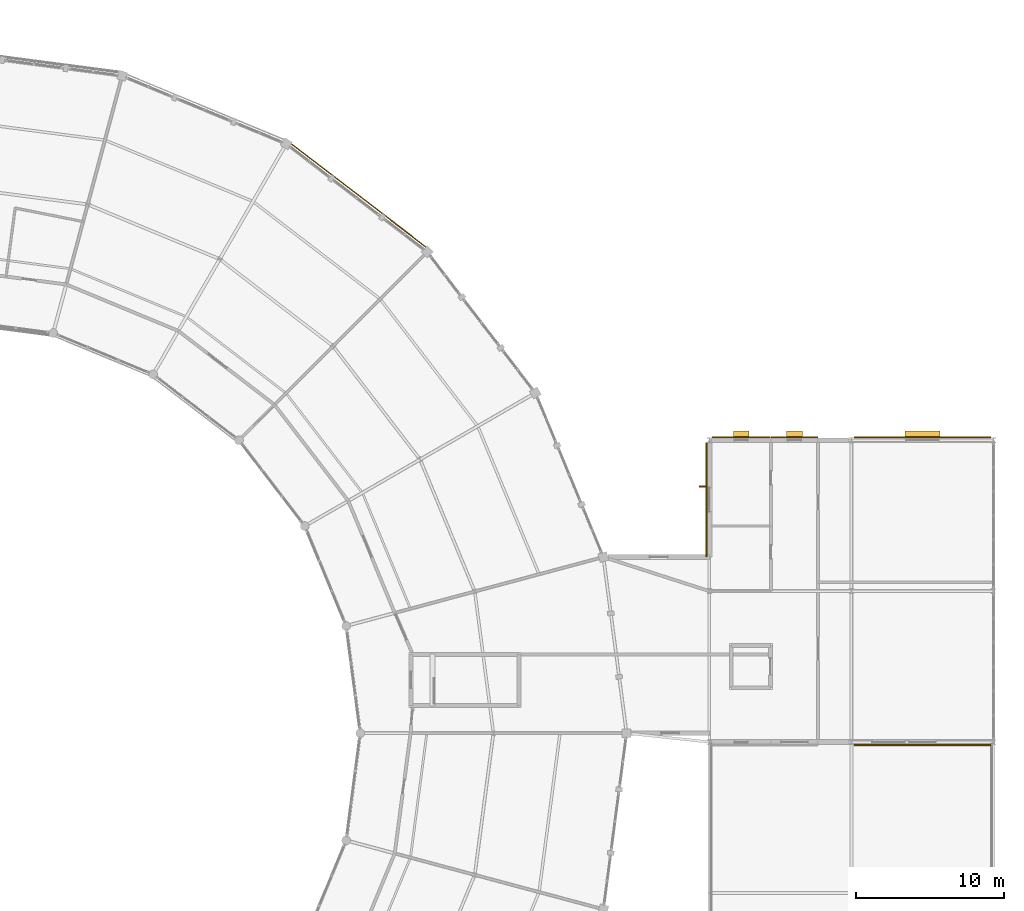
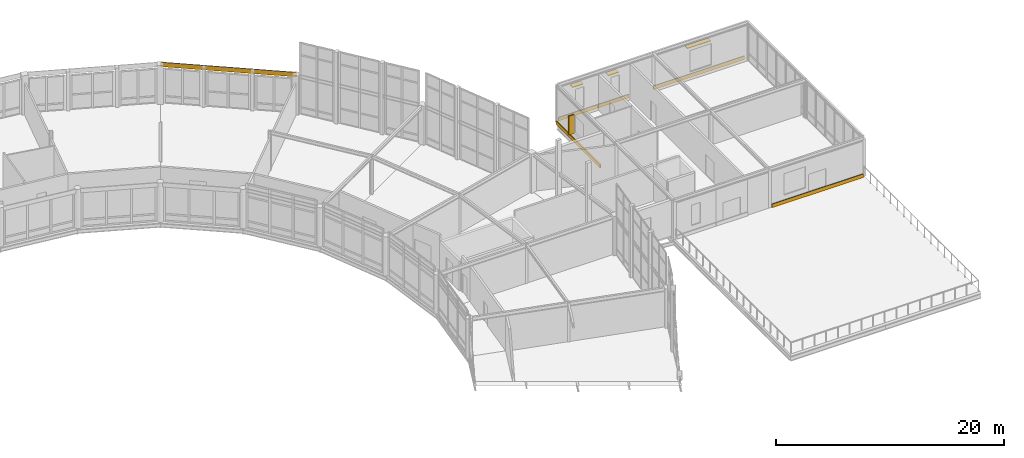
# One storey, part 185 of 185: 6 coverings, 4 shading devices.
"""IFC4 building model written with IfcOpenShell, lengths in metres."""

import ifcopenshell
import ifcopenshell.guid

model = None  # the IFC model being written
_history = None  # IfcOwnerHistory: only IFC2X3 demands one
_inside = {}  # id of a spatial element -> (the spatial element, [elements in it])
_under = {}  # id of a project, library or spatial element -> (it, [spatial elements below it])
_declared = {}  # id of a project -> (the project, [libraries it declares])
_typed = {}  # id of a type object -> (the type object, [elements of that type])
_made_of = {}  # id of a material, layer set ... -> (it, [elements and type objects made of it])


def new_model(schema):
    """Start an empty IFC model of exactly this schema.

    Asked for "IFC4X3", IfcOpenShell would pick the latest addendum, in which some entities
    have other attributes; the version numbers below select the first issue.
    IFC2X3 requires an IfcOwnerHistory on every rooted entity: one is made here for all.
    """
    global model, _history
    if schema == "IFC4X3":
        model = ifcopenshell.file(schema_version=(4, 3, 0, 0))
    else:
        model = ifcopenshell.file(schema=schema)
    _inside.clear()
    _under.clear()
    _declared.clear()
    _typed.clear()
    _made_of.clear()
    _history = None
    if model.schema == "IFC2X3":
        org = make("IfcOrganization", Name="unknown")
        user = make(
            "IfcPersonAndOrganization",
            ThePerson=make("IfcPerson", FamilyName="unknown"),
            TheOrganization=org,
        )
        app = make(
            "IfcApplication",
            ApplicationDeveloper=org,
            Version="unknown",
            ApplicationFullName="unknown",
            ApplicationIdentifier="unknown",
        )
        _history = make(
            "IfcOwnerHistory",
            OwningUser=user,
            OwningApplication=app,
            ChangeAction="ADDED",
            CreationDate=0,
        )
    return model


def make(cls, **values):
    """One entity of the class cls with the attributes given. An attribute that is None is left unset."""
    return model.create_entity(
        cls, **{name: value for name, value in values.items() if value is not None}
    )


def rooted(cls, **values):
    """An entity with a GlobalId (a new one), such as an element, a storey or a relation."""
    return make(cls, GlobalId=ifcopenshell.guid.new(), OwnerHistory=_history, **values)


def si_unit(unit_type, name, prefix=None):
    """IfcSIUnit, for example si_unit("LENGTHUNIT", "METRE", prefix="MILLI")."""
    return make("IfcSIUnit", UnitType=unit_type, Prefix=prefix, Name=name)


def assignment(units):
    """IfcUnitAssignment: the units of a project."""
    return None if units is None else make("IfcUnitAssignment", Units=units)


def point(xyz):
    """IfcCartesianPoint."""
    return None if xyz is None else make("IfcCartesianPoint", Coordinates=xyz)


def direction(xyz):
    """IfcDirection."""
    return None if xyz is None else make("IfcDirection", DirectionRatios=xyz)


def frame(location, z_axis=None, x_axis=None):
    """IfcAxis2Placement3D, a coordinate frame: its origin and axes. An axis left out is left unset."""
    return make(
        "IfcAxis2Placement3D",
        Location=point(location),
        Axis=direction(z_axis),
        RefDirection=direction(x_axis),
    )


def frame_2d(location, x_axis=None):
    """IfcAxis2Placement2D, a coordinate frame in the plane: its origin and x axis."""
    return make(
        "IfcAxis2Placement2D", Location=point(location), RefDirection=direction(x_axis)
    )


def origin():
    """The frame at (0, 0, 0) with its axes left unset."""
    return frame((0.0, 0.0, 0.0))


def origin_2d():
    """The frame at (0, 0) in the plane with its x axis left unset."""
    return frame_2d((0.0, 0.0))


def place(relative_to, where):
    """IfcLocalPlacement: puts the frame where relative to a parent placement (None: the world)."""
    return make(
        "IfcLocalPlacement", PlacementRelTo=relative_to, RelativePlacement=where
    )


def context(
    kind, dimensions, precision=None, world=None, true_north=None, identifier=None
):
    """IfcGeometricRepresentationContext, for example the 3D "Model" context."""
    return make(
        "IfcGeometricRepresentationContext",
        ContextIdentifier=identifier,
        ContextType=kind,
        CoordinateSpaceDimension=dimensions,
        Precision=precision,
        WorldCoordinateSystem=world,
        TrueNorth=true_north,
    )


def subcontext(parent, identifier, kind, view, scale=None):
    """IfcGeometricRepresentationSubContext, for example "Body" below "Model"."""
    return make(
        "IfcGeometricRepresentationSubContext",
        ContextIdentifier=identifier,
        ContextType=kind,
        ParentContext=parent,
        TargetScale=scale,
        TargetView=view,
    )


def project(units=None, contexts=None):
    """IfcProject with its units and contexts."""
    return rooted(
        "IfcProject",
        Name="project",
        RepresentationContexts=contexts,
        UnitsInContext=assignment(units),
    )


def spatial(cls, under=None, at=None, **own):
    """A site, building, storey or space (cls), placed at a placement, below another one or the project."""
    s = rooted(cls, ObjectPlacement=at, **own)
    if under is not None:
        _under.setdefault(under.id(), (under, []))[1].append(s)
    return s


def profile(cls, at=None, kind="AREA", **sizes):
    """A parametric profile (cls). Its sizes go by their IFC names, for example OverallWidth=200.0."""
    return make(cls, ProfileType=kind, Position=at, **sizes)


def rectangle(**sizes):
    """IfcRectangleProfileDef."""
    return profile("IfcRectangleProfileDef", **sizes)


def extrude(swept, where, along, depth):
    """IfcExtrudedAreaSolid: the profile swept, set in the frame where, extruded along a direction by depth."""
    return make(
        "IfcExtrudedAreaSolid",
        SweptArea=swept,
        Position=where,
        ExtrudedDirection=direction(along),
        Depth=depth,
    )


def shape(context_of_items, identifier, shape_type, items):
    """IfcShapeRepresentation: the items that make up one representation, for example the "Body"."""
    return make(
        "IfcShapeRepresentation",
        ContextOfItems=context_of_items,
        RepresentationIdentifier=identifier,
        RepresentationType=shape_type,
        Items=items,
    )


def material(Name=None, Category=None):
    """IfcMaterial."""
    return make("IfcMaterial", Name=Name, Category=Category)


def layer(
    of_material, thickness, ventilated=None, Name=None, Category=None, Priority=None
):
    """IfcMaterialLayer: one layer of a wall or slab, of a material (None: an air gap)."""
    return make(
        "IfcMaterialLayer",
        Material=of_material,
        LayerThickness=thickness,
        IsVentilated=ventilated,
        Name=Name,
        Category=Category,
        Priority=Priority,
    )


def layer_set(layers, Name=None):
    """IfcMaterialLayerSet."""
    return make("IfcMaterialLayerSet", MaterialLayers=layers, LayerSetName=Name)


def made_of(thing, what):
    """Note that an element or type object is made of a material, layer set ...; save() writes the relation."""
    if what is not None:
        _made_of.setdefault(what.id(), (what, []))[1].append(thing)
    return thing


def type_object(cls, material=None, **own):
    """A type object (cls), such as IfcWallType, which elements share."""
    return made_of(rooted(cls, **own), material)


def element(
    cls,
    number,
    at=None,
    inside=None,
    cuts=None,
    type_object=None,
    material=None,
    context=None,
    identifier="Body",
    shape_type=None,
    held_by="IfcProductDefinitionShape",
    body=None,
    shapes=None,
    **own,
):
    """One element of the class cls, such as IfcWall. Its Tag is "e" and its number.

    at: its placement. inside: the storey or other place that contains it. cuts: it is an
    opening in that element (IfcRelVoidsElement). A single representation is given by context,
    identifier, shape_type and body (its items); several are given by shapes. held_by: the class
    of the entity that holds the representations. save() writes the other relations.
    """
    e = rooted(cls, Tag="e%d" % number, ObjectPlacement=at, **own)
    if body is not None:
        shapes = [shape(context, identifier, shape_type, body)]
    if shapes is not None:
        e.Representation = make(held_by, Representations=shapes)
    if inside is not None:
        _inside.setdefault(inside.id(), (inside, []))[1].append(e)
    if cuts is not None:
        rooted(
            "IfcRelVoidsElement", RelatingBuildingElement=cuts, RelatedOpeningElement=e
        )
    if type_object is not None:
        _typed.setdefault(type_object.id(), (type_object, []))[1].append(e)
    return made_of(e, material)


def aggregate(whole, parts):
    """IfcRelAggregates: a whole, such as a stair, and the parts it consists of."""
    return rooted("IfcRelAggregates", RelatingObject=whole, RelatedObjects=parts)


def save(model, path):
    """Write the relations noted so far, then the file.

    IfcRelAggregates (storeys below a building ...), IfcRelContainedInSpatialStructure (elements
    in a storey), IfcRelDefinesByType, IfcRelAssociatesMaterial and IfcRelDeclares: one each for
    every whole, place, type object, material and project.
    """
    for whole, parts in _under.values():
        aggregate(whole, parts)
    for where, things in _inside.values():
        rooted(
            "IfcRelContainedInSpatialStructure",
            RelatedElements=things,
            RelatingStructure=where,
        )
    for kind, things in _typed.values():
        rooted("IfcRelDefinesByType", RelatedObjects=things, RelatingType=kind)
    for what, things in _made_of.values():
        rooted("IfcRelAssociatesMaterial", RelatedObjects=things, RelatingMaterial=what)
    for by, libraries in _declared.values():
        rooted("IfcRelDeclares", RelatingContext=by, RelatedDefinitions=libraries)
    model.write(path)


model = new_model("IFC4")

# Units and contexts
model_context = context("Model", 3, precision=1e-05, world=origin(), true_north=direction((0.0, 1.0)))
body_context = subcontext(model_context, "Body", "Model", "MODEL_VIEW")
ifc_project = project(units=[si_unit("LENGTHUNIT", "METRE"), si_unit("AREAUNIT", "SQUARE_METRE"), si_unit("VOLUMEUNIT", "CUBIC_METRE"), si_unit("PLANEANGLEUNIT", "RADIAN"), si_unit("MASSUNIT", "GRAM", prefix="KILO")], contexts=[model_context])

# Site, building, storey
site_placement = place(None, origin())
site = spatial("IfcSite", under=ifc_project, at=site_placement, CompositionType="ELEMENT")
building_placement = place(site_placement, origin())
building = spatial("IfcBuilding", under=site, at=building_placement, Name="Vondelvale Polytechnic", CompositionType="ELEMENT")
storey_placement = place(building_placement, frame((0.0, 0.0, 9.60009765625)))
storey = spatial("IfcBuildingStorey", under=building, at=storey_placement, Name="L02", CompositionType="ELEMENT", Elevation=9.60009765625)

# Coverings
ifc_material_1 = material(Name="Amsterdam School iron-spot clinker clay brickwork", Category="masonry")
ifc_layer_1 = layer(ifc_material_1, 0.090087890625)
ifc_layer_set_1 = layer_set([ifc_layer_1], Name="COV-BRICK-RELIEF")
covering_type_1 = type_object("IfcCoveringType", Name="COV-BRICK-RELIEF", PredefinedType="CLADDING", material=ifc_layer_set_1)
covering_1_placement = place(storey_placement, frame((155.75244140625, 92.0009765625, 0.0), z_axis=(0.0, 0.0, 1.0), x_axis=(1.0, 0.0, 0.0)))
element("IfcCovering", 1, at=covering_1_placement, inside=storey, type_object=covering_type_1, Name="L02 exterior corbelled masonry relief band", PredefinedType="CLADDING", context=body_context, shape_type="SweptSolid", body=[
    extrude(rectangle(XDim=3.93505859375, YDim=0.090087890625, at=origin_2d()), origin(), (0.0, 0.0, 1.0), 0.3798828125),
])
covering_2_placement = place(storey_placement, frame((159.35009765625, 92.0009765625, 0.0), z_axis=(0.0, 0.0, 1.0), x_axis=(1.0, 0.0, 0.0)))
element("IfcCovering", 2, at=covering_2_placement, inside=storey, type_object=covering_type_1, Name="L02 exterior corbelled masonry relief band", PredefinedType="CLADDING", context=body_context, shape_type="SweptSolid", body=[
    extrude(rectangle(XDim=3.139892578125, YDim=0.090087890625, at=origin_2d()), origin(), (0.0, 0.0, 1.0), 0.3798828125),
])
for number, where, z_axis, x_axis, name in (
    (3, (168.0, 92.0009765625, 0.0), (0.0, 0.0, 1.0), (1.0, 0.0, 0.0), "L02 exterior corbelled masonry relief band"),
    (4, (168.0, 71.198974609375, 0.0), (0.0, 0.0, 1.0), (-1.0, 0.0, 0.0), "L02 exterior corbelled masonry relief band"),
):
    element("IfcCovering", number, at=place(storey_placement, frame(where, z_axis=z_axis, x_axis=x_axis)), inside=storey, type_object=covering_type_1, Name=name, PredefinedType="CLADDING", context=body_context, shape_type="SweptSolid", body=[
        extrude(rectangle(XDim=9.22998046875, YDim=0.090087890625, at=origin_2d()), origin(), (0.0, 0.0, 1.0), 0.3798828125),
    ])
covering_3_placement = place(storey_placement, frame((153.39892578125, 87.775390625, 0.0), z_axis=(0.0, 0.0, 1.0), x_axis=(0.0, 1.0, 0.0)))
element("IfcCovering", 5, at=covering_3_placement, inside=storey, type_object=covering_type_1, Name="L02 exterior corbelled masonry relief band", PredefinedType="CLADDING", context=body_context, shape_type="SweptSolid", body=[
    extrude(rectangle(XDim=7.67919921875, YDim=0.090087890625, at=origin_2d()), origin(), (0.0, 0.0, 1.0), 0.3798828125),
])
ifc_material_2 = material(Name="Engineered Tasmanian oak studio and bridge joinery")
ifc_layer_2 = layer(ifc_material_2, 0.06494140625)
ifc_layer_set_2 = layer_set([ifc_layer_2], Name="COV-OAK-SPANDREL")
covering_type_2 = type_object("IfcCoveringType", Name="COV-OAK-SPANDREL", PredefinedType="CLADDING", material=ifc_layer_set_2)
covering_4_placement = place(storey_placement, frame((129.8916015625, 108.34912109375, 3.719970703125), z_axis=(0.0, 0.0, 1.0), x_axis=(-0.793353340291, 0.608761429009, 0.0)))
element("IfcCovering", 6, at=covering_4_placement, inside=storey, type_object=covering_type_2, Name="L02 exterior masonry spandrel band", PredefinedType="CLADDING", context=body_context, shape_type="SweptSolid", body=[
    extrude(rectangle(XDim=12.00830078125, YDim=0.06494140625, at=origin_2d()), origin(), (0.0, 0.0, 1.0), 0.47998046875),
])

# Shading devices
ifc_material_3 = material(Name="Anodised extruded aluminium 6063-T6", Category="aluminium")
shading_device_type_1 = type_object("IfcShadingDeviceType", Name="SHD-BRONZE-LOUVRE", PredefinedType="SHUTTER", material=ifc_material_3)
for number, where, z_axis, x_axis, name in (
    (7, (155.75244140625, 92.18505859375, 3.057373046875), (0.0, 0.0, 1.0), (1.0, 0.0, 0.0), "L02 horizontal bronze sun-louvre overhang"),
    (8, (159.35009765625, 92.18505859375, 3.057373046875), (0.0, 0.0, 1.0), (1.0, 0.0, 0.0), "L02 horizontal bronze sun-louvre overhang"),
):
    element("IfcShadingDevice", number, at=place(storey_placement, frame(where, z_axis=z_axis, x_axis=x_axis)), inside=storey, type_object=shading_device_type_1, Name=name, PredefinedType="SHUTTER", context=body_context, shape_type="SweptSolid", body=[
        extrude(rectangle(XDim=1.06005859375, YDim=0.47998046875, at=origin_2d()), origin(), (0.0, 0.0, 1.0), 0.0849609375),
    ])
shading_device_1_placement = place(storey_placement, frame((168.0, 92.18505859375, 3.157470703125), z_axis=(0.0, 0.0, 1.0), x_axis=(1.0, 0.0, 0.0)))
element("IfcShadingDevice", 9, at=shading_device_1_placement, inside=storey, type_object=shading_device_type_1, Name="L02 horizontal bronze sun-louvre overhang", PredefinedType="SHUTTER", context=body_context, shape_type="SweptSolid", body=[
    extrude(rectangle(XDim=2.360107421875, YDim=0.47998046875, at=origin_2d()), origin(), (0.0, 0.0, 1.0), 0.0849609375),
])
ifc_material_4 = material(Name="Kiln-fired architectural terracotta", Category="masonry")
shading_device_type_2 = type_object("IfcShadingDeviceType", Name="SHD-TERRA-FIN-550", PredefinedType="JALOUSIE", material=ifc_material_4)
shading_device_2_placement = place(storey_placement, frame((153.179931640625, 88.665283203125, 0.83984375), z_axis=(0.0, 0.0, 1.0), x_axis=(0.0, 1.0, 0.0)))
element("IfcShadingDevice", 10, at=shading_device_2_placement, inside=storey, type_object=shading_device_type_2, Name="L02 vertical terracotta solar fin", PredefinedType="JALOUSIE", context=body_context, shape_type="SweptSolid", body=[
    extrude(rectangle(XDim=0.110107421875, YDim=0.550048828125, at=origin_2d()), origin(), (0.0, 0.0, 1.0), 2.02001953125),
])

save(model, "model.ifc")
